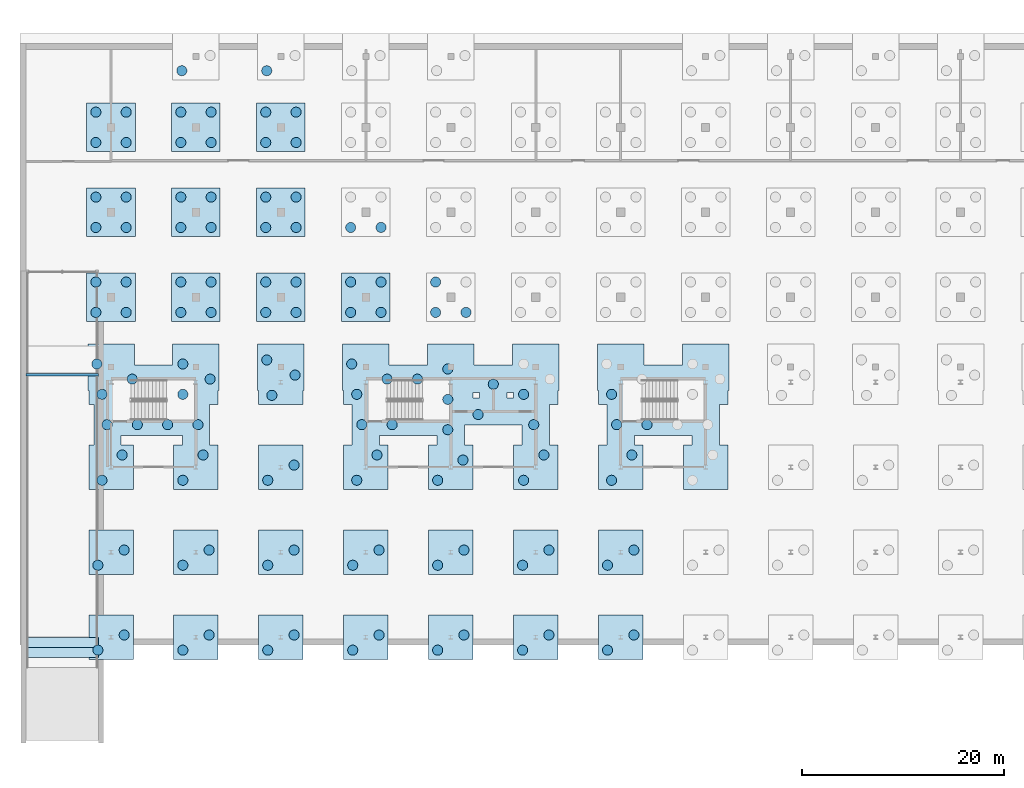
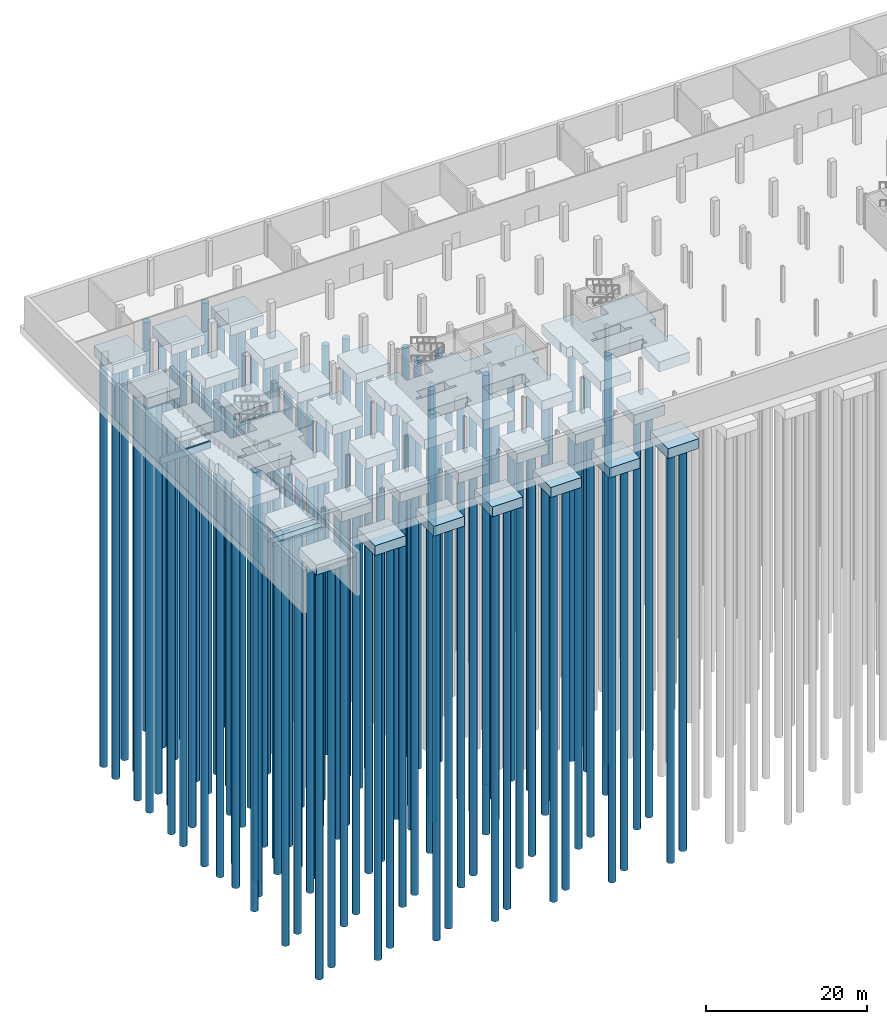
# One storey, part 1 of 29: 118 piles, 32 footings.
"""IFC4 building model written with IfcOpenShell, lengths in metres."""

from ifc_helpers import new_model, si_unit, direction, frame, origin, origin_2d, place, context, subcontext, project, spatial, polyline, circle, outline, extrude, material, type_object, element, save


model = new_model("IFC4")

# Units and contexts
model_context = context("Model", 3, precision=1e-05, world=origin(), true_north=direction((0.0, 1.0)))
body_context = subcontext(model_context, "Body", "Model", "MODEL_VIEW")
ifc_project = project(units=[si_unit("LENGTHUNIT", "METRE"), si_unit("AREAUNIT", "SQUARE_METRE"), si_unit("VOLUMEUNIT", "CUBIC_METRE"), si_unit("PLANEANGLEUNIT", "RADIAN"), si_unit("MASSUNIT", "GRAM", prefix="KILO")], contexts=[model_context])

# Site, building, storey
site_placement = place(None, origin())
site = spatial("IfcSite", under=ifc_project, at=site_placement, CompositionType="ELEMENT")
building_placement = place(site_placement, origin())
building = spatial("IfcBuilding", under=site, at=building_placement, Name="Cresset Court Congress Hotel", CompositionType="ELEMENT")
storey_placement = place(building_placement, frame((0.0, 0.0, -5.39990234375)))
storey = spatial("IfcBuildingStorey", under=building, at=storey_placement, Name="B1", CompositionType="ELEMENT", Elevation=-5.39990234375)

# Piles
ifc_material_1 = material(Name="Concrete C35", Category="concrete")
pile_type = type_object("IfcPileType", Name="Bored pile D1000", PredefinedType="BORED", material=ifc_material_1)
for number, where, z_axis, x_axis, name in (
    (1, (6.89990234375, 32.10009765625, -2.60009765625), (0.0, 0.0, -1.0), (1.0, 0.0, 0.0), "Pile 001-1"),
    (2, (9.89990234375, 32.10009765625, -2.60009765625), (0.0, 0.0, -1.0), (1.0, 0.0, 0.0), "Pile 001-2"),
    (3, (6.89990234375, 35.10009765625, -2.60009765625), (0.0, 0.0, -1.0), (1.0, 0.0, 0.0), "Pile 001-3"),
    (4, (9.89990234375, 35.10009765625, -2.60009765625), (0.0, 0.0, -1.0), (1.0, 0.0, 0.0), "Pile 001-4"),
    (5, (6.89990234375, 40.5, -2.60009765625), (0.0, 0.0, -1.0), (1.0, 0.0, 0.0), "Pile 002-1"),
    (6, (9.89990234375, 40.5, -2.60009765625), (0.0, 0.0, -1.0), (1.0, 0.0, 0.0), "Pile 002-2"),
    (7, (6.89990234375, 43.5, -2.60009765625), (0.0, 0.0, -1.0), (1.0, 0.0, 0.0), "Pile 002-3"),
    (8, (9.89990234375, 43.5, -2.60009765625), (0.0, 0.0, -1.0), (1.0, 0.0, 0.0), "Pile 002-4"),
    (9, (6.89990234375, 48.89990234375, -2.60009765625), (0.0, 0.0, -1.0), (1.0, 0.0, 0.0), "Pile 003-1"),
    (10, (9.89990234375, 48.89990234375, -2.60009765625), (0.0, 0.0, -1.0), (1.0, 0.0, 0.0), "Pile 003-2"),
    (11, (6.89990234375, 51.89990234375, -2.60009765625), (0.0, 0.0, -1.0), (1.0, 0.0, 0.0), "Pile 003-3"),
    (12, (9.89990234375, 51.89990234375, -2.60009765625), (0.0, 0.0, -1.0), (1.0, 0.0, 0.0), "Pile 003-4"),
    (13, (7.5, 15.5, -2.60009765625), (0.0, 0.0, -1.0), (1.0, 0.0, 0.0), "Pile 004-1"),
    (14, (15.5, 15.5, -2.60009765625), (0.0, 0.0, -1.0), (1.0, 0.0, 0.0), "Pile 004-2"),
    (15, (9.5, 18.0, -2.60009765625), (0.0, 0.0, -1.0), (1.0, 0.0, 0.0), "Pile 004-3"),
    (16, (17.5, 18.0, -2.60009765625), (0.0, 0.0, -1.0), (1.0, 0.0, 0.0), "Pile 004-4"),
    (17, (8.0, 21.0, -2.60009765625), (0.0, 0.0, -1.0), (1.0, 0.0, 0.0), "Pile 004-5"),
    (18, (11.0, 21.0, -2.60009765625), (0.0, 0.0, -1.0), (1.0, 0.0, 0.0), "Pile 004-6"),
    (19, (14.0, 21.0, -2.60009765625), (0.0, 0.0, -1.0), (1.0, 0.0, 0.0), "Pile 004-7"),
    (20, (17.0, 21.0, -2.60009765625), (0.0, 0.0, -1.0), (1.0, 0.0, 0.0), "Pile 004-8"),
    (21, (7.5, 24.0, -2.60009765625), (0.0, 0.0, -1.0), (1.0, 0.0, 0.0), "Pile 004-9"),
    (22, (15.5, 24.0, -2.60009765625), (0.0, 0.0, -1.0), (1.0, 0.0, 0.0), "Pile 004-10"),
    (23, (10.5, 25.5, -2.60009765625), (0.0, 0.0, -1.0), (1.0, 0.0, 0.0), "Pile 004-11"),
    (24, (18.199951171875, 25.5, -2.60009765625), (0.0, 0.0, -1.0), (1.0, 0.0, 0.0), "Pile 004-12"),
    (25, (7.0, 27.0, -2.60009765625), (0.0, 0.0, -1.0), (1.0, 0.0, 0.0), "Pile 004-13"),
    (26, (15.5, 27.0, -2.60009765625), (0.0, 0.0, -1.0), (1.0, 0.0, 0.0), "Pile 004-14"),
    (27, (7.10009765625, -1.300048828125, -2.60009765625), (0.0, 0.0, -1.0), (1.0, 0.0, 0.0), "Pile 005-1"),
    (28, (9.699951171875, 0.199951171875, -2.60009765625), (0.0, 0.0, -1.0), (1.0, 0.0, 0.0), "Pile 005-2"),
    (29, (7.10009765625, 7.10009765625, -2.60009765625), (0.0, 0.0, -1.0), (1.0, 0.0, 0.0), "Pile 006-1"),
    (30, (9.699951171875, 8.60009765625, -2.60009765625), (0.0, 0.0, -1.0), (1.0, 0.0, 0.0), "Pile 006-2"),
    (31, (15.300048828125, 32.10009765625, -2.60009765625), (0.0, 0.0, -1.0), (1.0, 0.0, 0.0), "Pile 007-1"),
    (32, (18.300048828125, 32.10009765625, -2.60009765625), (0.0, 0.0, -1.0), (1.0, 0.0, 0.0), "Pile 007-2"),
    (33, (15.300048828125, 35.10009765625, -2.60009765625), (0.0, 0.0, -1.0), (1.0, 0.0, 0.0), "Pile 007-3"),
    (34, (18.300048828125, 35.10009765625, -2.60009765625), (0.0, 0.0, -1.0), (1.0, 0.0, 0.0), "Pile 007-4"),
    (35, (15.300048828125, 40.5, -2.60009765625), (0.0, 0.0, -1.0), (1.0, 0.0, 0.0), "Pile 008-1"),
    (36, (18.300048828125, 40.5, -2.60009765625), (0.0, 0.0, -1.0), (1.0, 0.0, 0.0), "Pile 008-2"),
    (37, (15.300048828125, 43.5, -2.60009765625), (0.0, 0.0, -1.0), (1.0, 0.0, 0.0), "Pile 008-3"),
    (38, (18.300048828125, 43.5, -2.60009765625), (0.0, 0.0, -1.0), (1.0, 0.0, 0.0), "Pile 008-4"),
    (39, (15.300048828125, 48.89990234375, -2.60009765625), (0.0, 0.0, -1.0), (1.0, 0.0, 0.0), "Pile 009-1"),
    (40, (18.300048828125, 48.89990234375, -2.60009765625), (0.0, 0.0, -1.0), (1.0, 0.0, 0.0), "Pile 009-2"),
    (41, (15.300048828125, 51.89990234375, -2.60009765625), (0.0, 0.0, -1.0), (1.0, 0.0, 0.0), "Pile 009-3"),
    (42, (18.300048828125, 51.89990234375, -2.60009765625), (0.0, 0.0, -1.0), (1.0, 0.0, 0.0), "Pile 009-4"),
    (43, (15.39990234375, 56.0, -2.60009765625), (0.0, 0.0, -1.0), (1.0, 0.0, 0.0), "Pile 010-1"),
    (44, (15.5, -1.300048828125, -2.60009765625), (0.0, 0.0, -1.0), (1.0, 0.0, 0.0), "Pile 011-1"),
    (45, (18.10009765625, 0.199951171875, -2.60009765625), (0.0, 0.0, -1.0), (1.0, 0.0, 0.0), "Pile 011-2"),
    (46, (15.5, 7.10009765625, -2.60009765625), (0.0, 0.0, -1.0), (1.0, 0.0, 0.0), "Pile 012-1"),
    (47, (18.10009765625, 8.60009765625, -2.60009765625), (0.0, 0.0, -1.0), (1.0, 0.0, 0.0), "Pile 012-2"),
    (48, (23.699951171875, 32.10009765625, -2.60009765625), (0.0, 0.0, -1.0), (1.0, 0.0, 0.0), "Pile 013-1"),
    (49, (26.699951171875, 32.10009765625, -2.60009765625), (0.0, 0.0, -1.0), (1.0, 0.0, 0.0), "Pile 013-2"),
    (50, (23.699951171875, 35.10009765625, -2.60009765625), (0.0, 0.0, -1.0), (1.0, 0.0, 0.0), "Pile 013-3"),
    (51, (26.699951171875, 35.10009765625, -2.60009765625), (0.0, 0.0, -1.0), (1.0, 0.0, 0.0), "Pile 013-4"),
    (52, (23.699951171875, 40.5, -2.60009765625), (0.0, 0.0, -1.0), (1.0, 0.0, 0.0), "Pile 014-1"),
    (53, (26.699951171875, 40.5, -2.60009765625), (0.0, 0.0, -1.0), (1.0, 0.0, 0.0), "Pile 014-2"),
    (54, (23.699951171875, 43.5, -2.60009765625), (0.0, 0.0, -1.0), (1.0, 0.0, 0.0), "Pile 014-3"),
    (55, (26.699951171875, 43.5, -2.60009765625), (0.0, 0.0, -1.0), (1.0, 0.0, 0.0), "Pile 014-4"),
    (56, (23.699951171875, 48.89990234375, -2.60009765625), (0.0, 0.0, -1.0), (1.0, 0.0, 0.0), "Pile 015-1"),
    (57, (26.699951171875, 48.89990234375, -2.60009765625), (0.0, 0.0, -1.0), (1.0, 0.0, 0.0), "Pile 015-2"),
    (58, (23.699951171875, 51.89990234375, -2.60009765625), (0.0, 0.0, -1.0), (1.0, 0.0, 0.0), "Pile 015-3"),
    (59, (26.699951171875, 51.89990234375, -2.60009765625), (0.0, 0.0, -1.0), (1.0, 0.0, 0.0), "Pile 015-4"),
    (60, (24.300048828125, 23.89990234375, -2.60009765625), (0.0, 0.0, -1.0), (1.0, 0.0, 0.0), "Pile 016-1"),
    (61, (26.60009765625, 25.89990234375, -2.60009765625), (0.0, 0.0, -1.0), (1.0, 0.0, 0.0), "Pile 016-2"),
    (62, (23.800048828125, 27.39990234375, -2.60009765625), (0.0, 0.0, -1.0), (1.0, 0.0, 0.0), "Pile 016-3"),
    (63, (23.800048828125, 56.0, -2.60009765625), (0.0, 0.0, -1.0), (1.0, 0.0, 0.0), "Pile 017-1"),
    (64, (23.89990234375, -1.300048828125, -2.60009765625), (0.0, 0.0, -1.0), (1.0, 0.0, 0.0), "Pile 018-1"),
    (65, (26.5, 0.199951171875, -2.60009765625), (0.0, 0.0, -1.0), (1.0, 0.0, 0.0), "Pile 018-2"),
    (66, (23.89990234375, 7.10009765625, -2.60009765625), (0.0, 0.0, -1.0), (1.0, 0.0, 0.0), "Pile 019-1"),
    (67, (26.5, 8.60009765625, -2.60009765625), (0.0, 0.0, -1.0), (1.0, 0.0, 0.0), "Pile 019-2"),
    (68, (23.89990234375, 15.5, -2.60009765625), (0.0, 0.0, -1.0), (1.0, 0.0, 0.0), "Pile 020-1"),
    (69, (26.5, 17.0, -2.60009765625), (0.0, 0.0, -1.0), (1.0, 0.0, 0.0), "Pile 020-2"),
    (70, (32.10009765625, 32.10009765625, -2.60009765625), (0.0, 0.0, -1.0), (1.0, 0.0, 0.0), "Pile 021-1"),
    (71, (35.10009765625, 32.10009765625, -2.60009765625), (0.0, 0.0, -1.0), (1.0, 0.0, 0.0), "Pile 021-2"),
    (72, (32.10009765625, 35.10009765625, -2.60009765625), (0.0, 0.0, -1.0), (1.0, 0.0, 0.0), "Pile 021-3"),
    (73, (35.10009765625, 35.10009765625, -2.60009765625), (0.0, 0.0, -1.0), (1.0, 0.0, 0.0), "Pile 021-4"),
    (74, (32.10009765625, 40.5, -2.60009765625), (0.0, 0.0, -1.0), (1.0, 0.0, 0.0), "Pile 022-1"),
    (75, (35.10009765625, 40.5, -2.60009765625), (0.0, 0.0, -1.0), (1.0, 0.0, 0.0), "Pile 022-2"),
    (76, (32.699951171875, 15.5, -2.60009765625), (0.0, 0.0, -1.0), (1.0, 0.0, 0.0), "Pile 024-1"),
    (77, (40.699951171875, 15.5, -2.60009765625), (0.0, 0.0, -1.0), (1.0, 0.0, 0.0), "Pile 024-2"),
    (78, (49.199951171875, 15.5, -2.60009765625), (0.0, 0.0, -1.0), (1.0, 0.0, 0.0), "Pile 024-3"),
    (79, (43.199951171875, 17.5, -2.60009765625), (0.0, 0.0, -1.0), (1.0, 0.0, 0.0), "Pile 024-4"),
    (80, (34.699951171875, 18.0, -2.60009765625), (0.0, 0.0, -1.0), (1.0, 0.0, 0.0), "Pile 024-5"),
    (81, (51.199951171875, 18.0, -2.60009765625), (0.0, 0.0, -1.0), (1.0, 0.0, 0.0), "Pile 024-6"),
    (82, (41.699951171875, 20.5, -2.60009765625), (0.0, 0.0, -1.0), (1.0, 0.0, 0.0), "Pile 024-7"),
    (83, (33.199951171875, 21.0, -2.60009765625), (0.0, 0.0, -1.0), (1.0, 0.0, 0.0), "Pile 024-8"),
    (84, (36.199951171875, 21.0, -2.60009765625), (0.0, 0.0, -1.0), (1.0, 0.0, 0.0), "Pile 024-9"),
    (85, (50.199951171875, 21.0, -2.60009765625), (0.0, 0.0, -1.0), (1.0, 0.0, 0.0), "Pile 024-10"),
    (86, (44.699951171875, 22.0, -2.60009765625), (0.0, 0.0, -1.0), (1.0, 0.0, 0.0), "Pile 024-11"),
    (87, (41.699951171875, 23.5, -2.60009765625), (0.0, 0.0, -1.0), (1.0, 0.0, 0.0), "Pile 024-12"),
    (88, (32.699951171875, 24.0, -2.60009765625), (0.0, 0.0, -1.0), (1.0, 0.0, 0.0), "Pile 024-13"),
    (89, (49.199951171875, 24.0, -2.60009765625), (0.0, 0.0, -1.0), (1.0, 0.0, 0.0), "Pile 024-14"),
    (90, (46.199951171875, 25.0, -2.60009765625), (0.0, 0.0, -1.0), (1.0, 0.0, 0.0), "Pile 024-15"),
    (91, (35.699951171875, 25.5, -2.60009765625), (0.0, 0.0, -1.0), (1.0, 0.0, 0.0), "Pile 024-16"),
    (92, (38.699951171875, 25.5, -2.60009765625), (0.0, 0.0, -1.0), (1.0, 0.0, 0.0), "Pile 024-17"),
    (93, (41.699951171875, 26.5, -2.60009765625), (0.0, 0.0, -1.0), (1.0, 0.0, 0.0), "Pile 024-19"),
    (94, (32.199951171875, 27.0, -2.60009765625), (0.0, 0.0, -1.0), (1.0, 0.0, 0.0), "Pile 024-20"),
    (95, (32.300048828125, -1.300048828125, -2.60009765625), (0.0, 0.0, -1.0), (1.0, 0.0, 0.0), "Pile 026-1"),
    (96, (34.89990234375, 0.199951171875, -2.60009765625), (0.0, 0.0, -1.0), (1.0, 0.0, 0.0), "Pile 026-2"),
    (97, (32.300048828125, 7.10009765625, -2.60009765625), (0.0, 0.0, -1.0), (1.0, 0.0, 0.0), "Pile 027-1"),
    (98, (34.89990234375, 8.60009765625, -2.60009765625), (0.0, 0.0, -1.0), (1.0, 0.0, 0.0), "Pile 027-2"),
    (99, (40.5, 32.10009765625, -2.60009765625), (0.0, 0.0, -1.0), (1.0, 0.0, 0.0), "Pile 028-1"),
    (100, (43.5, 32.10009765625, -2.60009765625), (0.0, 0.0, -1.0), (1.0, 0.0, 0.0), "Pile 028-2"),
    (101, (40.5, 35.10009765625, -2.60009765625), (0.0, 0.0, -1.0), (1.0, 0.0, 0.0), "Pile 028-3"),
    (102, (40.699951171875, -1.300048828125, -2.60009765625), (0.0, 0.0, -1.0), (1.0, 0.0, 0.0), "Pile 032-1"),
    (103, (43.300048828125, 0.199951171875, -2.60009765625), (0.0, 0.0, -1.0), (1.0, 0.0, 0.0), "Pile 032-2"),
    (104, (40.699951171875, 7.10009765625, -2.60009765625), (0.0, 0.0, -1.0), (1.0, 0.0, 0.0), "Pile 033-1"),
    (105, (43.300048828125, 8.60009765625, -2.60009765625), (0.0, 0.0, -1.0), (1.0, 0.0, 0.0), "Pile 033-2"),
    (106, (49.10009765625, -1.300048828125, -2.60009765625), (0.0, 0.0, -1.0), (1.0, 0.0, 0.0), "Pile 037-1"),
    (107, (51.699951171875, 0.199951171875, -2.60009765625), (0.0, 0.0, -1.0), (1.0, 0.0, 0.0), "Pile 037-2"),
    (108, (49.10009765625, 7.10009765625, -2.60009765625), (0.0, 0.0, -1.0), (1.0, 0.0, 0.0), "Pile 038-1"),
    (109, (51.699951171875, 8.60009765625, -2.60009765625), (0.0, 0.0, -1.0), (1.0, 0.0, 0.0), "Pile 038-2"),
    (110, (57.89990234375, 15.5, -2.60009765625), (0.0, 0.0, -1.0), (1.0, 0.0, 0.0), "Pile 042-1"),
    (111, (59.89990234375, 18.0, -2.60009765625), (0.0, 0.0, -1.0), (1.0, 0.0, 0.0), "Pile 042-3"),
    (112, (58.39990234375, 21.0, -2.60009765625), (0.0, 0.0, -1.0), (1.0, 0.0, 0.0), "Pile 042-5"),
    (113, (61.39990234375, 21.0, -2.60009765625), (0.0, 0.0, -1.0), (1.0, 0.0, 0.0), "Pile 042-6"),
    (114, (57.89990234375, 24.0, -2.60009765625), (0.0, 0.0, -1.0), (1.0, 0.0, 0.0), "Pile 042-9"),
    (115, (57.5, -1.300048828125, -2.60009765625), (0.0, 0.0, -1.0), (1.0, 0.0, 0.0), "Pile 043-1"),
    (116, (60.10009765625, 0.199951171875, -2.60009765625), (0.0, 0.0, -1.0), (1.0, 0.0, 0.0), "Pile 043-2"),
    (117, (57.5, 7.10009765625, -2.60009765625), (0.0, 0.0, -1.0), (1.0, 0.0, 0.0), "Pile 044-1"),
    (118, (60.10009765625, 8.60009765625, -2.60009765625), (0.0, 0.0, -1.0), (1.0, 0.0, 0.0), "Pile 044-2"),
):
    element("IfcPile", number, at=place(storey_placement, frame(where, z_axis=z_axis, x_axis=x_axis)), inside=storey, type_object=pile_type, Name=name, PredefinedType="BORED", context=body_context, shape_type="SweptSolid", body=[
        extrude(circle(Radius=0.5, at=origin_2d()), origin(), (0.0, 0.0, 1.0), 62.0),
    ])

# Footings
ifc_material_2 = material(Name="Concrete C35", Category="concrete")
footing_type_1 = type_object("IfcFootingType", Name="Pile cap 4.4x4.4, 2 piles", PredefinedType="PILE_CAP", material=ifc_material_2)
footing_1_placement = place(storey_placement, frame((0.0, 0.0, -2.7001953125)))
element("IfcFooting", 119, at=footing_1_placement, inside=storey, type_object=footing_type_1, Name="Pile cap PC005", PredefinedType="PILE_CAP", context=body_context, shape_type="SweptSolid", body=[
    extrude(outline(polyline([(10.60009765625, 2.199951171875), (10.60009765625, -2.199951171875), (6.199951171875, -2.199951171875), (6.199951171875, 2.199951171875), (10.60009765625, 2.199951171875)])), origin(), (0.0, 0.0, 1.0), 1.5),
])
footing_2_placement = place(storey_placement, frame((0.0, 0.0, -2.7001953125)))
element("IfcFooting", 120, at=footing_2_placement, inside=storey, type_object=footing_type_1, Name="Pile cap PC006", PredefinedType="PILE_CAP", context=body_context, shape_type="SweptSolid", body=[
    extrude(outline(polyline([(10.60009765625, 6.199951171875), (6.199951171875, 6.199951171875), (6.199951171875, 10.60009765625), (10.60009765625, 10.60009765625), (10.60009765625, 6.199951171875)])), origin(), (0.0, 0.0, 1.0), 1.5),
])
footing_3_placement = place(storey_placement, frame((0.0, 0.0, -2.7001953125)))
element("IfcFooting", 121, at=footing_3_placement, inside=storey, type_object=footing_type_1, Name="Pile cap PC011", PredefinedType="PILE_CAP", context=body_context, shape_type="SweptSolid", body=[
    extrude(outline(polyline([(19.0, 2.199951171875), (19.0, -2.199951171875), (14.60009765625, -2.199951171875), (14.60009765625, 2.199951171875), (19.0, 2.199951171875)])), origin(), (0.0, 0.0, 1.0), 1.5),
])
footing_4_placement = place(storey_placement, frame((0.0, 0.0, -2.7001953125)))
element("IfcFooting", 122, at=footing_4_placement, inside=storey, type_object=footing_type_1, Name="Pile cap PC012", PredefinedType="PILE_CAP", context=body_context, shape_type="SweptSolid", body=[
    extrude(outline(polyline([(19.0, 6.199951171875), (14.60009765625, 6.199951171875), (14.60009765625, 10.60009765625), (19.0, 10.60009765625), (19.0, 6.199951171875)])), origin(), (0.0, 0.0, 1.0), 1.5),
])
footing_5_placement = place(storey_placement, frame((0.0, 0.0, -2.7001953125)))
element("IfcFooting", 123, at=footing_5_placement, inside=storey, type_object=footing_type_1, Name="Pile cap PC018", PredefinedType="PILE_CAP", context=body_context, shape_type="SweptSolid", body=[
    extrude(outline(polyline([(27.39990234375, -2.199951171875), (23.0, -2.199951171875), (23.0, 2.199951171875), (27.39990234375, 2.199951171875), (27.39990234375, -2.199951171875)])), origin(), (0.0, 0.0, 1.0), 1.5),
])
footing_6_placement = place(storey_placement, frame((0.0, 0.0, -2.7001953125)))
element("IfcFooting", 124, at=footing_6_placement, inside=storey, type_object=footing_type_1, Name="Pile cap PC019", PredefinedType="PILE_CAP", context=body_context, shape_type="SweptSolid", body=[
    extrude(outline(polyline([(27.39990234375, 10.60009765625), (27.39990234375, 6.199951171875), (23.0, 6.199951171875), (23.0, 10.60009765625), (27.39990234375, 10.60009765625)])), origin(), (0.0, 0.0, 1.0), 1.5),
])
footing_7_placement = place(storey_placement, frame((0.0, 0.0, -2.7001953125)))
element("IfcFooting", 125, at=footing_7_placement, inside=storey, type_object=footing_type_1, Name="Pile cap PC020", PredefinedType="PILE_CAP", context=body_context, shape_type="SweptSolid", body=[
    extrude(outline(polyline([(27.39990234375, 14.60009765625), (23.0, 14.60009765625), (23.0, 19.0), (27.39990234375, 19.0), (27.39990234375, 14.60009765625)])), origin(), (0.0, 0.0, 1.0), 1.5),
])
footing_8_placement = place(storey_placement, frame((0.0, 0.0, -2.7001953125)))
element("IfcFooting", 126, at=footing_8_placement, inside=storey, type_object=footing_type_1, Name="Pile cap PC026", PredefinedType="PILE_CAP", context=body_context, shape_type="SweptSolid", body=[
    extrude(outline(polyline([(35.800048828125, -2.199951171875), (31.39990234375, -2.199951171875), (31.39990234375, 2.199951171875), (35.800048828125, 2.199951171875), (35.800048828125, -2.199951171875)])), origin(), (0.0, 0.0, 1.0), 1.5),
])
footing_9_placement = place(storey_placement, frame((0.0, 0.0, -2.7001953125)))
element("IfcFooting", 127, at=footing_9_placement, inside=storey, type_object=footing_type_1, Name="Pile cap PC027", PredefinedType="PILE_CAP", context=body_context, shape_type="SweptSolid", body=[
    extrude(outline(polyline([(35.800048828125, 6.199951171875), (31.39990234375, 6.199951171875), (31.39990234375, 10.60009765625), (35.800048828125, 10.60009765625), (35.800048828125, 6.199951171875)])), origin(), (0.0, 0.0, 1.0), 1.5),
])
footing_10_placement = place(storey_placement, frame((0.0, 0.0, -2.7001953125)))
element("IfcFooting", 128, at=footing_10_placement, inside=storey, type_object=footing_type_1, Name="Pile cap PC032", PredefinedType="PILE_CAP", context=body_context, shape_type="SweptSolid", body=[
    extrude(outline(polyline([(44.199951171875, -2.199951171875), (39.800048828125, -2.199951171875), (39.800048828125, 2.199951171875), (44.199951171875, 2.199951171875), (44.199951171875, -2.199951171875)])), origin(), (0.0, 0.0, 1.0), 1.5),
])
footing_11_placement = place(storey_placement, frame((0.0, 0.0, -2.7001953125)))
element("IfcFooting", 129, at=footing_11_placement, inside=storey, type_object=footing_type_1, Name="Pile cap PC033", PredefinedType="PILE_CAP", context=body_context, shape_type="SweptSolid", body=[
    extrude(outline(polyline([(44.199951171875, 6.199951171875), (39.800048828125, 6.199951171875), (39.800048828125, 10.60009765625), (44.199951171875, 10.60009765625), (44.199951171875, 6.199951171875)])), origin(), (0.0, 0.0, 1.0), 1.5),
])
footing_12_placement = place(storey_placement, frame((0.0, 0.0, -2.7001953125)))
element("IfcFooting", 130, at=footing_12_placement, inside=storey, type_object=footing_type_1, Name="Pile cap PC037", PredefinedType="PILE_CAP", context=body_context, shape_type="SweptSolid", body=[
    extrude(outline(polyline([(52.60009765625, -2.199951171875), (48.199951171875, -2.199951171875), (48.199951171875, 2.199951171875), (52.60009765625, 2.199951171875), (52.60009765625, -2.199951171875)])), origin(), (0.0, 0.0, 1.0), 1.5),
])
footing_13_placement = place(storey_placement, frame((0.0, 0.0, -2.7001953125)))
element("IfcFooting", 131, at=footing_13_placement, inside=storey, type_object=footing_type_1, Name="Pile cap PC038", PredefinedType="PILE_CAP", context=body_context, shape_type="SweptSolid", body=[
    extrude(outline(polyline([(52.60009765625, 10.60009765625), (52.60009765625, 6.199951171875), (48.199951171875, 6.199951171875), (48.199951171875, 10.60009765625), (52.60009765625, 10.60009765625)])), origin(), (0.0, 0.0, 1.0), 1.5),
])
footing_14_placement = place(storey_placement, frame((0.0, 0.0, -2.7001953125)))
element("IfcFooting", 132, at=footing_14_placement, inside=storey, type_object=footing_type_1, Name="Pile cap PC043", PredefinedType="PILE_CAP", context=body_context, shape_type="SweptSolid", body=[
    extrude(outline(polyline([(61.0, 2.199951171875), (61.0, -2.199951171875), (56.60009765625, -2.199951171875), (56.60009765625, 2.199951171875), (61.0, 2.199951171875)])), origin(), (0.0, 0.0, 1.0), 1.5),
])
footing_15_placement = place(storey_placement, frame((0.0, 0.0, -2.7001953125)))
element("IfcFooting", 133, at=footing_15_placement, inside=storey, type_object=footing_type_1, Name="Pile cap PC044", PredefinedType="PILE_CAP", context=body_context, shape_type="SweptSolid", body=[
    extrude(outline(polyline([(61.0, 6.199951171875), (56.60009765625, 6.199951171875), (56.60009765625, 10.60009765625), (61.0, 10.60009765625), (61.0, 6.199951171875)])), origin(), (0.0, 0.0, 1.0), 1.5),
])
ifc_material_3 = material(Name="Concrete C35", Category="concrete")
footing_type_2 = type_object("IfcFootingType", Name="Pile cap 4.8x4.8, 4 piles", PredefinedType="PILE_CAP", material=ifc_material_3)
footing_16_placement = place(storey_placement, frame((0.0, 0.0, -2.7001953125)))
element("IfcFooting", 134, at=footing_16_placement, inside=storey, type_object=footing_type_2, Name="Pile cap PC001", PredefinedType="PILE_CAP", context=body_context, shape_type="SweptSolid", body=[
    extrude(outline(polyline([(10.800048828125, 31.199951171875), (6.0, 31.199951171875), (6.0, 36.0), (10.800048828125, 36.0), (10.800048828125, 31.199951171875)])), origin(), (0.0, 0.0, 1.0), 1.5),
])
footing_17_placement = place(storey_placement, frame((0.0, 0.0, -2.7001953125)))
element("IfcFooting", 135, at=footing_17_placement, inside=storey, type_object=footing_type_2, Name="Pile cap PC002", PredefinedType="PILE_CAP", context=body_context, shape_type="SweptSolid", body=[
    extrude(outline(polyline([(10.800048828125, 39.60009765625), (6.0, 39.60009765625), (6.0, 44.39990234375), (10.800048828125, 44.39990234375), (10.800048828125, 39.60009765625)])), origin(), (0.0, 0.0, 1.0), 1.5),
])
footing_18_placement = place(storey_placement, frame((0.0, 0.0, -2.7001953125)))
element("IfcFooting", 136, at=footing_18_placement, inside=storey, type_object=footing_type_2, Name="Pile cap PC003", PredefinedType="PILE_CAP", context=body_context, shape_type="SweptSolid", body=[
    extrude(outline(polyline([(10.800048828125, 48.0), (6.0, 48.0), (6.0, 52.800048828125), (10.800048828125, 52.800048828125), (10.800048828125, 48.0)])), origin(), (0.0, 0.0, 1.0), 1.5),
])
footing_19_placement = place(storey_placement, frame((0.0, 0.0, -2.7001953125)))
element("IfcFooting", 137, at=footing_19_placement, inside=storey, type_object=footing_type_2, Name="Pile cap PC007", PredefinedType="PILE_CAP", context=body_context, shape_type="SweptSolid", body=[
    extrude(outline(polyline([(19.199951171875, 36.0), (19.199951171875, 31.199951171875), (14.39990234375, 31.199951171875), (14.39990234375, 36.0), (19.199951171875, 36.0)])), origin(), (0.0, 0.0, 1.0), 1.5),
])
footing_20_placement = place(storey_placement, frame((0.0, 0.0, -2.7001953125)))
element("IfcFooting", 138, at=footing_20_placement, inside=storey, type_object=footing_type_2, Name="Pile cap PC008", PredefinedType="PILE_CAP", context=body_context, shape_type="SweptSolid", body=[
    extrude(outline(polyline([(19.199951171875, 44.39990234375), (19.199951171875, 39.60009765625), (14.39990234375, 39.60009765625), (14.39990234375, 44.39990234375), (19.199951171875, 44.39990234375)])), origin(), (0.0, 0.0, 1.0), 1.5),
])
footing_21_placement = place(storey_placement, frame((0.0, 0.0, -2.7001953125)))
element("IfcFooting", 139, at=footing_21_placement, inside=storey, type_object=footing_type_2, Name="Pile cap PC009", PredefinedType="PILE_CAP", context=body_context, shape_type="SweptSolid", body=[
    extrude(outline(polyline([(19.199951171875, 48.0), (14.39990234375, 48.0), (14.39990234375, 52.800048828125), (19.199951171875, 52.800048828125), (19.199951171875, 48.0)])), origin(), (0.0, 0.0, 1.0), 1.5),
])
footing_22_placement = place(storey_placement, frame((0.0, 0.0, -2.7001953125)))
element("IfcFooting", 140, at=footing_22_placement, inside=storey, type_object=footing_type_2, Name="Pile cap PC013", PredefinedType="PILE_CAP", context=body_context, shape_type="SweptSolid", body=[
    extrude(outline(polyline([(27.60009765625, 31.199951171875), (22.800048828125, 31.199951171875), (22.800048828125, 36.0), (27.60009765625, 36.0), (27.60009765625, 31.199951171875)])), origin(), (0.0, 0.0, 1.0), 1.5),
])
footing_23_placement = place(storey_placement, frame((0.0, 0.0, -2.7001953125)))
element("IfcFooting", 141, at=footing_23_placement, inside=storey, type_object=footing_type_2, Name="Pile cap PC014", PredefinedType="PILE_CAP", context=body_context, shape_type="SweptSolid", body=[
    extrude(outline(polyline([(27.60009765625, 39.60009765625), (22.800048828125, 39.60009765625), (22.800048828125, 44.39990234375), (27.60009765625, 44.39990234375), (27.60009765625, 39.60009765625)])), origin(), (0.0, 0.0, 1.0), 1.5),
])
footing_24_placement = place(storey_placement, frame((0.0, 0.0, -2.7001953125)))
element("IfcFooting", 142, at=footing_24_placement, inside=storey, type_object=footing_type_2, Name="Pile cap PC015", PredefinedType="PILE_CAP", context=body_context, shape_type="SweptSolid", body=[
    extrude(outline(polyline([(27.60009765625, 48.0), (22.800048828125, 48.0), (22.800048828125, 52.800048828125), (27.60009765625, 52.800048828125), (27.60009765625, 48.0)])), origin(), (0.0, 0.0, 1.0), 1.5),
])
footing_25_placement = place(storey_placement, frame((0.0, 0.0, -2.7001953125)))
element("IfcFooting", 143, at=footing_25_placement, inside=storey, type_object=footing_type_2, Name="Pile cap PC021", PredefinedType="PILE_CAP", context=body_context, shape_type="SweptSolid", body=[
    extrude(outline(polyline([(36.0, 31.199951171875), (31.199951171875, 31.199951171875), (31.199951171875, 36.0), (36.0, 36.0), (36.0, 31.199951171875)])), origin(), (0.0, 0.0, 1.0), 1.5),
])
ifc_material_4 = material(Name="Concrete C35", Category="concrete")
footing_type_3 = type_object("IfcFootingType", Name="Pile cap group 140.7 m2, 14 piles", PredefinedType="PILE_CAP", material=ifc_material_4)
footing_26_placement = place(storey_placement, frame((0.0, 0.0, -2.7001953125)))
element("IfcFooting", 144, at=footing_26_placement, inside=storey, type_object=footing_type_3, Name="Pile cap PC042", PredefinedType="PILE_CAP", context=body_context, shape_type="SweptSolid", body=[
    extrude(outline(polyline([(56.5, 24.39990234375), (56.5, 29.0), (61.10009765625, 29.0), (61.10009765625, 26.89990234375), (64.89990234375, 26.89990234375), (64.89990234375, 29.0), (69.5, 29.0), (69.5, 24.39990234375), (69.39990234375, 24.39990234375), (69.39990234375, 23.0), (68.550048828125, 23.0), (68.550048828125, 19.0), (69.39990234375, 19.0), (69.39990234375, 14.60009765625), (65.0, 14.60009765625), (65.0, 19.0), (65.85009765625, 19.0), (65.85009765625, 19.949951171875), (60.14990234375, 19.949951171875), (60.14990234375, 19.0), (61.0, 19.0), (61.0, 14.60009765625), (56.60009765625, 14.60009765625), (56.60009765625, 19.0), (57.449951171875, 19.0), (57.449951171875, 23.0), (56.60009765625, 23.0), (56.60009765625, 24.39990234375), (56.5, 24.39990234375)]), holes=[polyline([(65.85009765625, 22.64990234375), (65.85009765625, 23.0), (65.0, 23.0), (65.0, 24.199951171875), (61.0, 24.199951171875), (61.0, 23.0), (60.14990234375, 23.0), (60.14990234375, 22.64990234375), (65.85009765625, 22.64990234375)])]), origin(), (0.0, 0.0, 1.0), 1.5),
])
ifc_material_5 = material(Name="Concrete C35", Category="concrete")
footing_type_4 = type_object("IfcFootingType", Name="Pile cap group 141.6 m2, 14 piles", PredefinedType="PILE_CAP", material=ifc_material_5)
footing_27_placement = place(storey_placement, frame((0.0, 0.0, -2.7001953125)))
element("IfcFooting", 145, at=footing_27_placement, inside=storey, type_object=footing_type_4, Name="Pile cap PC004", PredefinedType="PILE_CAP", context=body_context, shape_type="SweptSolid", body=[
    extrude(outline(polyline([(6.699951171875, 23.0), (6.199951171875, 23.0), (6.199951171875, 24.39990234375), (6.10009765625, 24.39990234375), (6.10009765625, 29.0), (10.699951171875, 29.0), (10.699951171875, 26.89990234375), (14.5, 26.89990234375), (14.5, 29.0), (19.10009765625, 29.0), (19.10009765625, 24.39990234375), (19.0, 24.39990234375), (19.0, 23.0), (18.14990234375, 23.0), (18.14990234375, 19.0), (19.0, 19.0), (19.0, 14.60009765625), (14.60009765625, 14.60009765625), (14.60009765625, 19.0), (15.449951171875, 19.0), (15.449951171875, 19.949951171875), (9.39990234375, 19.949951171875), (9.39990234375, 19.0), (10.60009765625, 19.0), (10.60009765625, 14.60009765625), (6.199951171875, 14.60009765625), (6.199951171875, 19.0), (6.699951171875, 19.0), (6.699951171875, 23.0)]), holes=[polyline([(15.449951171875, 23.0), (14.60009765625, 23.0), (14.60009765625, 24.199951171875), (10.60009765625, 24.199951171875), (10.60009765625, 23.0), (9.39990234375, 23.0), (9.39990234375, 22.64990234375), (15.449951171875, 22.64990234375), (15.449951171875, 23.0)])]), origin(), (0.0, 0.0, 1.0), 1.5),
])
ifc_material_6 = material(Name="Concrete C35", Category="concrete")
footing_type_5 = type_object("IfcFootingType", Name="Pile cap group 224.2 m2, 21 piles", PredefinedType="PILE_CAP", material=ifc_material_6)
footing_28_placement = place(storey_placement, frame((0.0, 0.0, -2.7001953125)))
element("IfcFooting", 146, at=footing_28_placement, inside=storey, type_object=footing_type_5, Name="Pile cap PC024", PredefinedType="PILE_CAP", context=body_context, shape_type="SweptSolid", body=[
    extrude(outline(polyline([(31.300048828125, 24.39990234375), (31.300048828125, 29.0), (35.89990234375, 29.0), (35.89990234375, 26.89990234375), (39.699951171875, 26.89990234375), (39.699951171875, 29.0), (44.300048828125, 29.0), (44.300048828125, 26.89990234375), (48.10009765625, 26.89990234375), (48.10009765625, 29.0), (52.699951171875, 29.0), (52.699951171875, 24.39990234375), (52.60009765625, 24.39990234375), (52.60009765625, 23.0), (51.75, 23.0), (51.75, 19.0), (52.60009765625, 19.0), (52.60009765625, 14.60009765625), (48.199951171875, 14.60009765625), (48.199951171875, 19.0), (49.050048828125, 19.0), (49.050048828125, 20.949951171875), (43.35009765625, 20.949951171875), (43.35009765625, 19.0), (44.199951171875, 19.0), (44.199951171875, 14.60009765625), (39.800048828125, 14.60009765625), (39.800048828125, 19.0), (40.64990234375, 19.0), (40.64990234375, 19.949951171875), (34.949951171875, 19.949951171875), (34.949951171875, 19.0), (35.800048828125, 19.0), (35.800048828125, 14.60009765625), (31.39990234375, 14.60009765625), (31.39990234375, 19.0), (32.25, 19.0), (32.25, 23.0), (31.39990234375, 23.0), (31.39990234375, 24.39990234375), (31.300048828125, 24.39990234375)]), holes=[polyline([(48.199951171875, 23.64990234375), (48.199951171875, 24.199951171875), (47.550048828125, 24.199951171875), (47.550048828125, 23.64990234375), (48.199951171875, 23.64990234375)]), polyline([(44.85009765625, 24.199951171875), (44.199951171875, 24.199951171875), (44.199951171875, 23.64990234375), (44.85009765625, 23.64990234375), (44.85009765625, 24.199951171875)]), polyline([(35.800048828125, 23.0), (34.949951171875, 23.0), (34.949951171875, 22.64990234375), (40.64990234375, 22.64990234375), (40.64990234375, 23.0), (39.800048828125, 23.0), (39.800048828125, 24.199951171875), (35.800048828125, 24.199951171875), (35.800048828125, 23.0)])]), origin(), (0.0, 0.0, 1.0), 1.5),
])
ifc_material_7 = material(Name="Concrete C35", Category="concrete")
footing_type_6 = type_object("IfcFootingType", Name="Pile cap group 27.3 m2, 3 piles", PredefinedType="PILE_CAP", material=ifc_material_7)
footing_29_placement = place(storey_placement, frame((0.0, 0.0, -2.7001953125)))
element("IfcFooting", 147, at=footing_29_placement, inside=storey, type_object=footing_type_6, Name="Pile cap PC016", PredefinedType="PILE_CAP", context=body_context, shape_type="SweptSolid", body=[
    extrude(outline(polyline([(27.5, 29.0), (27.5, 24.39990234375), (27.39990234375, 24.39990234375), (27.39990234375, 23.0), (23.0, 23.0), (23.0, 24.39990234375), (22.89990234375, 24.39990234375), (22.89990234375, 29.0), (27.5, 29.0)])), origin(), (0.0, 0.0, 1.0), 1.5),
])
ifc_material_8 = material(Name="Concrete C35", Category="concrete")
footing_type_7 = type_object("IfcFootingType", Name="Strip footing 1000x600", PredefinedType="STRIP_FOOTING", material=ifc_material_8)
footing_30_placement = place(storey_placement, frame((0.0, 0.0, 3.599853515625)))
element("IfcFooting", 148, at=footing_30_placement, inside=storey, type_object=footing_type_7, Name="Strip footing ramp transition", PredefinedType="STRIP_FOOTING", context=body_context, shape_type="SweptSolid", body=[
    extrude(outline(polyline([(0.0, -1.0), (7.14990234375, -1.0), (7.14990234375, -2.0), (0.0, -2.0), (0.0, -1.0)])), origin(), (0.0, 0.0, 1.0), 0.60009765625),
])
footing_31_placement = place(storey_placement, frame((0.0, 0.0, 3.604736328125)))
element("IfcFooting", 149, at=footing_31_placement, inside=storey, type_object=footing_type_7, Name="Strip footing ramp junction", PredefinedType="STRIP_FOOTING", context=body_context, shape_type="SweptSolid", body=[
    extrude(outline(polyline([(0.0, -0.0576171875), (7.14990234375, -0.0576171875), (7.14990234375, -1.0576171875), (0.0, -1.0576171875), (0.0, -0.0576171875)])), origin(), (0.0, 0.0, 1.0), 0.599853515625),
])
footing_32_placement = place(storey_placement, frame((0.0, 0.0, -0.7001953125)))
element("IfcFooting", 150, at=footing_32_placement, inside=storey, type_object=footing_type_7, Name="Cast joint ramp foot", PredefinedType="STRIP_FOOTING", context=body_context, shape_type="SweptSolid", body=[
    extrude(outline(polyline([(0.0, 26.067626953125), (7.14990234375, 26.067626953125), (7.14990234375, 25.800048828125), (0.0, 25.800048828125), (0.0, 26.067626953125)])), origin(), (0.0, 0.0, 1.0), 0.9501953125),
])

save(model, "model.ifc")
